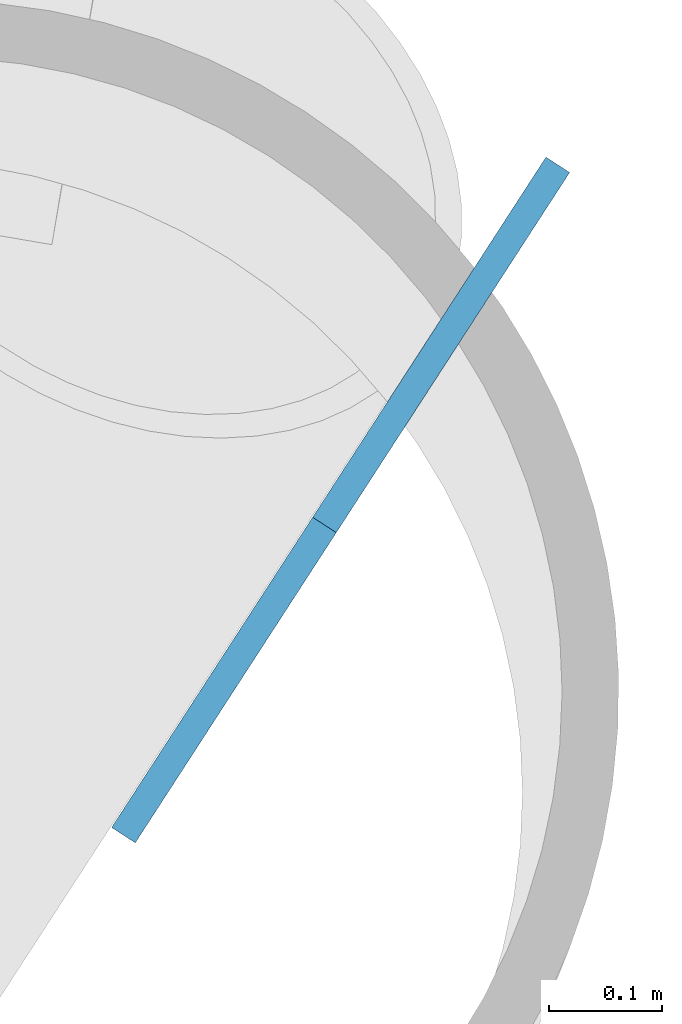
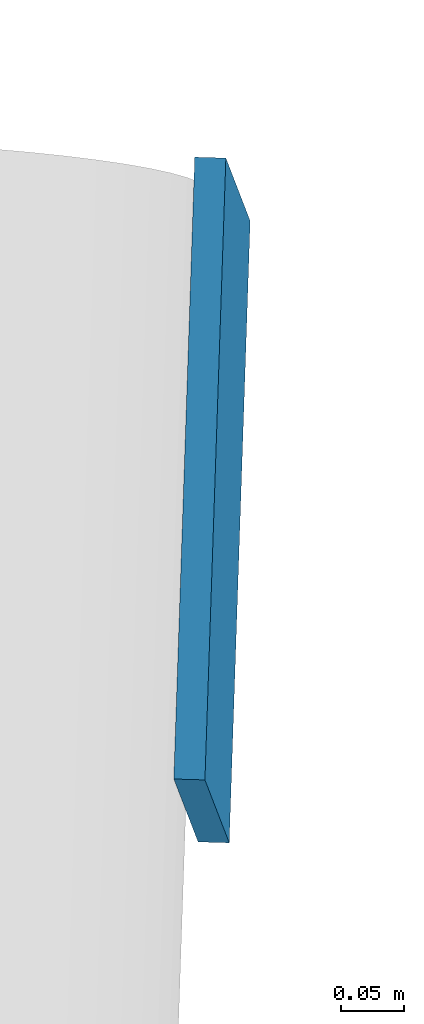
# One storey, part 10 of 21: 1 discrete accessory.
"""IFC4 building model written with IfcOpenShell, lengths in metres."""

from ifc_helpers import new_model, si_unit, direction, frame, origin, origin_2d, place, context, subcontext, project, spatial, rectangle, extrude, material, material_profile, profile_set, type_object, element, save


model = new_model("IFC4")

# Units and contexts
model_context = context("Model", 3, precision=1e-05, world=origin(), true_north=direction((0.0, 1.0)))
body_context = subcontext(model_context, "Body", "Model", "MODEL_VIEW")
ifc_project = project(units=[si_unit("LENGTHUNIT", "METRE"), si_unit("AREAUNIT", "SQUARE_METRE"), si_unit("VOLUMEUNIT", "CUBIC_METRE"), si_unit("PLANEANGLEUNIT", "RADIAN"), si_unit("MASSUNIT", "GRAM", prefix="KILO")], contexts=[model_context])

# Site, building, storey
site_placement = place(None, origin())
site = spatial("IfcSite", under=ifc_project, at=site_placement, CompositionType="ELEMENT")
building_placement = place(site_placement, origin())
building = spatial("IfcBuilding", under=site, at=building_placement, Name="Tarsis Ring Headquarters", CompositionType="ELEMENT")
storey_placement = place(building_placement, frame((0.0, 0.0, 47.800048828125)))
storey = spatial("IfcBuildingStorey", under=building, at=storey_placement, Name="L09", CompositionType="ELEMENT", Elevation=47.800048828125)

# Discrete accessory
ifc_material = material(Name="Structural steel S355", Category="steel")
ifc_material_profile = material_profile(ifc_material, rectangle(XDim=0.02490234375, YDim=0.5, at=origin_2d()), Name="PL 25x500")
ifc_profile_set = profile_set([ifc_material_profile], Name="Structural steel S355")
discrete_accessory_type = type_object("IfcDiscreteAccessoryType", Name="Gusset plate Exo brace 25", PredefinedType="BRACKET", material=ifc_profile_set)
discrete_accessory_placement = place(storey_placement, frame((27.431884765625, -10.460693359375, 7.800048828125), z_axis=(-0.354903772947, -0.547733195663, -0.757648769758), x_axis=(0.839228841671, -0.543778402759, 0.0)))
element("IfcDiscreteAccessory", 1, at=discrete_accessory_placement, inside=storey, type_object=discrete_accessory_type, Name="Gusset plate GP5", PredefinedType="BRACKET", context=body_context, shape_type="SweptSolid", body=[
    extrude(rectangle(XDim=0.02490234375, YDim=0.5, at=origin_2d()), origin(), (0.0, 0.0, 1.0), 0.5),
])

save(model, "model.ifc")
